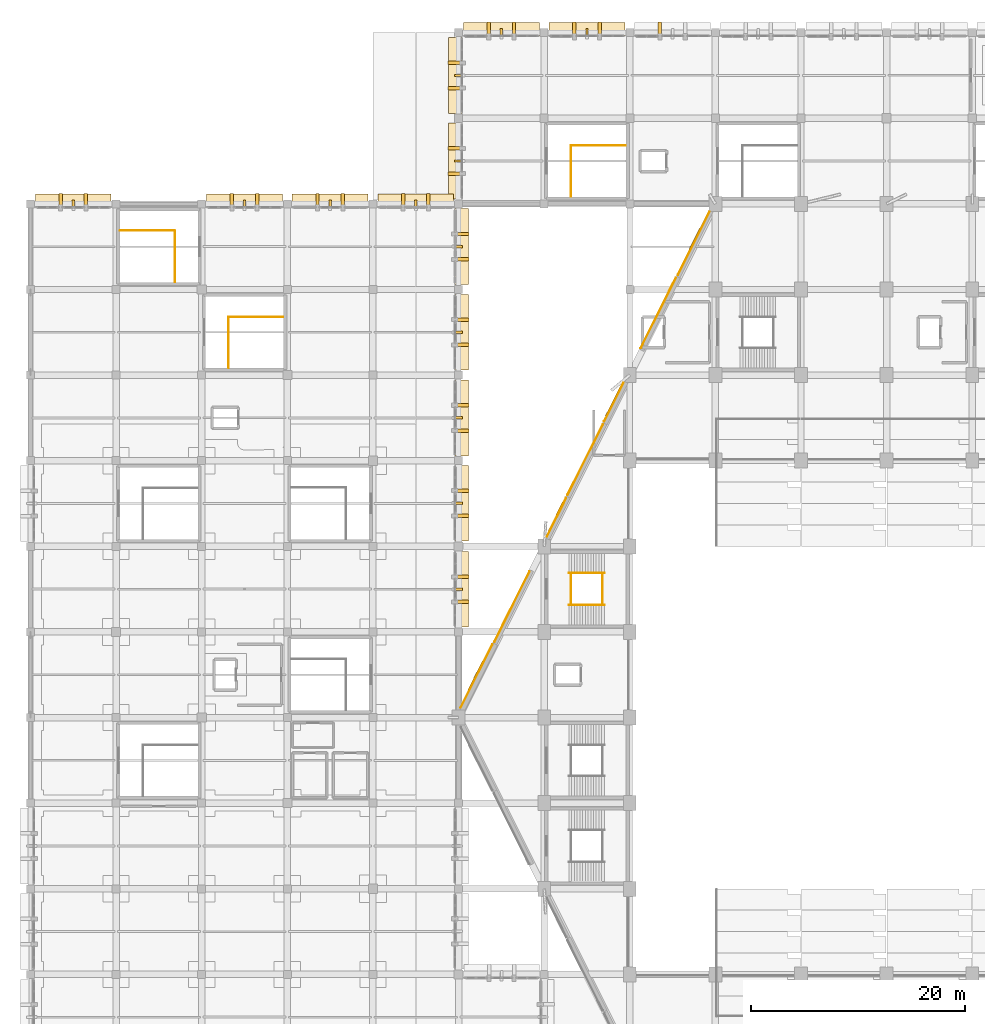
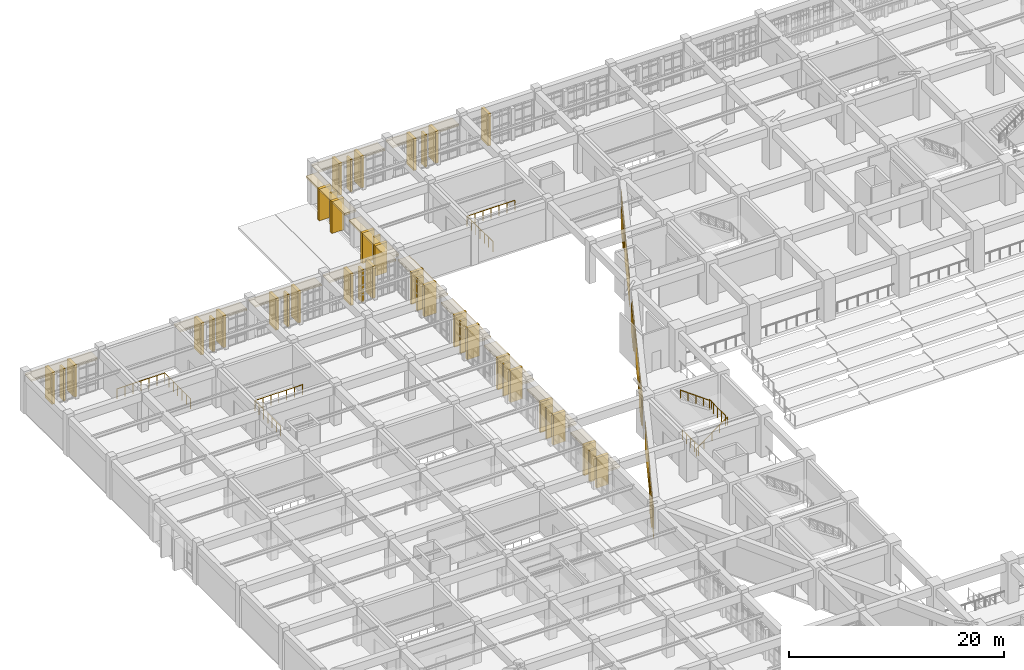
# One storey, part 151 of 155: 47 coverings, 17 shading devices, 10 railings.
"""IFC4 building model written with IfcOpenShell, lengths in metres."""

from ifc_helpers import new_model, si_unit, direction, frame, origin, origin_2d, place, context, subcontext, project, spatial, polyline, rectangle, circle, outline, extrude, material, layer, layer_set, type_object, element, save


model = new_model("IFC4")

# Units and contexts
model_context = context("Model", 3, precision=1e-05, world=origin(), true_north=direction((0.0, 1.0)))
body_context = subcontext(model_context, "Body", "Model", "MODEL_VIEW")
ifc_project = project(units=[si_unit("LENGTHUNIT", "METRE"), si_unit("AREAUNIT", "SQUARE_METRE"), si_unit("VOLUMEUNIT", "CUBIC_METRE"), si_unit("PLANEANGLEUNIT", "RADIAN"), si_unit("MASSUNIT", "GRAM", prefix="KILO")], contexts=[model_context])

# Site, building, storey
site_placement = place(None, origin())
site = spatial("IfcSite", under=ifc_project, at=site_placement, CompositionType="ELEMENT")
building_placement = place(site_placement, origin())
building = spatial("IfcBuilding", under=site, at=building_placement, Name="Tazarka Park Arena", CompositionType="ELEMENT")
storey_placement = place(building_placement, frame((0.0, 0.0, 5.39990234375)))
storey = spatial("IfcBuildingStorey", under=building, at=storey_placement, Name="L01", CompositionType="ELEMENT", Elevation=5.39990234375)

# Coverings
ifc_material_1 = material(Name="Dark ribbed perforated bronze-charcoal aluminium mesh", Category="aluminium")
ifc_layer_1 = layer(ifc_material_1, 0.06005859375, Name="Dark ribbed perforated bronze-charcoal aluminium mesh")
ifc_layer_set_1 = layer_set([ifc_layer_1], Name="Dark ribbed perforated bronze-charcoal aluminium mesh")
covering_type_1 = type_object("IfcCoveringType", Name="CLD-01", PredefinedType="CLADDING", material=ifc_layer_set_1)
for number, where, z_axis, x_axis, name in (
    (1, (58.818359375, 128.330078125, 0.0), (0.0, 0.0, 1.0), (1.0, 0.0, 0.0), "Brutalist Precast Brise-Soleil Blade L01-046-1"),
    (2, (50.818359375, 128.330078125, 0.0), (0.0, 0.0, 1.0), (1.0, 0.0, 0.0), "Brutalist Precast Brise-Soleil Blade L01-049-1"),
    (3, (53.181640625, 128.330078125, 0.0), (0.0, 0.0, 1.0), (1.0, 0.0, 0.0), "Brutalist Precast Brise-Soleil Blade L01-049-2"),
    (4, (42.818359375, 128.330078125, 0.0), (0.0, 0.0, 1.0), (1.0, 0.0, 0.0), "Brutalist Precast Brise-Soleil Blade L01-052-1"),
    (5, (45.181640625, 128.330078125, 0.0), (0.0, 0.0, 1.0), (1.0, 0.0, 0.0), "Brutalist Precast Brise-Soleil Blade L01-052-2"),
    (6, (39.669921875, 122.818359375, 0.0), (0.0, 0.0, 1.0), (0.0, 1.0, 0.0), "Brutalist Precast Brise-Soleil Blade L01-055-1"),
    (7, (39.669921875, 125.181640625, 0.0), (0.0, 0.0, 1.0), (0.0, 1.0, 0.0), "Brutalist Precast Brise-Soleil Blade L01-055-2"),
):
    element("IfcCovering", number, at=place(storey_placement, frame(where, z_axis=z_axis, x_axis=x_axis)), inside=storey, type_object=covering_type_1, Name=name, PredefinedType="CLADDING", context=body_context, shape_type="SweptSolid", body=[
        extrude(rectangle(XDim=0.320068359375, YDim=1.300048828125, at=origin_2d()), origin(), (0.0, 0.0, 1.0), 3.60009765625),
    ])
for number, where, z_axis, x_axis, name in (
    (8, (39.669921875, 114.818359375, 0.0), (0.0, 0.0, 1.0), (0.0, 1.0, 0.0), "Brutalist Precast Brise-Soleil Blade L01-058-1"),
    (9, (39.669921875, 117.181640625, 0.0), (0.0, 0.0, 1.0), (0.0, 1.0, 0.0), "Brutalist Precast Brise-Soleil Blade L01-058-2"),
):
    element("IfcCovering", number, at=place(storey_placement, frame(where, z_axis=z_axis, x_axis=x_axis)), inside=storey, type_object=covering_type_1, Name=name, PredefinedType="CLADDING", context=body_context, shape_type="SweptSolid", body=[
        extrude(rectangle(XDim=0.320068359375, YDim=1.300048828125, at=origin_2d()), origin(), (0.0, 0.0, 1.0), 3.449951171875),
    ])
covering_1_placement = place(storey_placement, frame((41.674072265625, 67.87353515625, 0.0), z_axis=(0.0, 0.0, 1.0), x_axis=(0.447290848419, 0.89438856037, 0.0)))
element("IfcCovering", 10, at=covering_1_placement, inside=storey, type_object=covering_type_1, Name="Ribbed Metal Mesh Cladding EW-L01-0175", PredefinedType="CLADDING", context=body_context, shape_type="SweptSolid", body=[
    extrude(rectangle(XDim=6.606201171875, YDim=0.06005859375, at=origin_2d()), origin(), (0.0, 0.0, 1.0), 3.449951171875),
])
covering_2_placement = place(storey_placement, frame((44.99072265625, 74.36181640625, 0.0), z_axis=(0.0, 0.0, 1.0), x_axis=(0.447290848419, 0.89438856037, 0.0)))
element("IfcCovering", 11, at=covering_2_placement, inside=storey, type_object=covering_type_1, Name="Ribbed Metal Mesh Cladding EW-L01-0176", PredefinedType="CLADDING", context=body_context, shape_type="SweptSolid", body=[
    extrude(rectangle(XDim=7.366455078125, YDim=0.06005859375, at=origin_2d()), origin(), (0.0, 0.0, 1.0), 3.449951171875),
])
covering_3_placement = place(storey_placement, frame((49.15185546875, 82.706298828125, 0.0), z_axis=(0.0, 0.0, 1.0), x_axis=(0.447290848419, 0.89438856037, 0.0)))
element("IfcCovering", 12, at=covering_3_placement, inside=storey, type_object=covering_type_1, Name="Ribbed Metal Mesh Cladding EW-L01-0177", PredefinedType="CLADDING", context=body_context, shape_type="SweptSolid", body=[
    extrude(rectangle(XDim=4.05078125, YDim=0.06005859375, at=origin_2d()), origin(), (0.0, 0.0, 1.0), 3.449951171875),
])
covering_4_placement = place(storey_placement, frame((51.830078125, 88.0849609375, 0.0), z_axis=(0.0, 0.0, 1.0), x_axis=(0.447290848419, 0.89438856037, 0.0)))
element("IfcCovering", 13, at=covering_4_placement, inside=storey, type_object=covering_type_1, Name="Ribbed Metal Mesh Cladding EW-L01-0178", PredefinedType="CLADDING", context=body_context, shape_type="SweptSolid", body=[
    extrude(rectangle(XDim=7.36669921875, YDim=0.06005859375, at=origin_2d()), origin(), (0.0, 0.0, 1.0), 3.449951171875),
])
covering_5_placement = place(storey_placement, frame((54.50830078125, 93.463623046875, 0.0), z_axis=(0.0, 0.0, 1.0), x_axis=(0.447290848419, 0.89438856037, 0.0)))
element("IfcCovering", 14, at=covering_5_placement, inside=storey, type_object=covering_type_1, Name="Ribbed Metal Mesh Cladding EW-L01-0179", PredefinedType="CLADDING", context=body_context, shape_type="SweptSolid", body=[
    extrude(rectangle(XDim=4.05078125, YDim=0.06005859375, at=origin_2d()), origin(), (0.0, 0.0, 1.0), 3.449951171875),
])
covering_6_placement = place(storey_placement, frame((58.669189453125, 101.80810546875, 0.0), z_axis=(0.0, 0.0, 1.0), x_axis=(0.447290848419, 0.89438856037, 0.0)))
element("IfcCovering", 15, at=covering_6_placement, inside=storey, type_object=covering_type_1, Name="Ribbed Metal Mesh Cladding EW-L01-0180", PredefinedType="CLADDING", context=body_context, shape_type="SweptSolid", body=[
    extrude(rectangle(XDim=7.366455078125, YDim=0.06005859375, at=origin_2d()), origin(), (0.0, 0.0, 1.0), 3.449951171875),
])
covering_7_placement = place(storey_placement, frame((61.97265625, 108.302978515625, 0.0), z_axis=(0.0, 0.0, 1.0), x_axis=(0.447290848419, 0.89438856037, 0.0)))
element("IfcCovering", 16, at=covering_7_placement, inside=storey, type_object=covering_type_1, Name="Ribbed Metal Mesh Cladding EW-L01-0181", PredefinedType="CLADDING", context=body_context, shape_type="SweptSolid", body=[
    extrude(rectangle(XDim=6.606201171875, YDim=0.06005859375, at=origin_2d()), origin(), (0.0, 0.0, 1.0), 3.449951171875),
])
for number, where, z_axis, x_axis, name in (
    (17, (40.330078125, 77.148193359375, 0.0), (0.0, 0.0, 1.0), (0.0, -1.0, 0.0), "Brutalist Precast Brise-Soleil Blade L01-109-1"),
    (18, (40.330078125, 74.8017578125, 0.0), (0.0, 0.0, 1.0), (0.0, -1.0, 0.0), "Brutalist Precast Brise-Soleil Blade L01-109-2"),
    (19, (40.330078125, 85.1982421875, 0.0), (0.0, 0.0, 1.0), (0.0, -1.0, 0.0), "Brutalist Precast Brise-Soleil Blade L01-112-1"),
    (20, (40.330078125, 82.851806640625, 0.0), (0.0, 0.0, 1.0), (0.0, -1.0, 0.0), "Brutalist Precast Brise-Soleil Blade L01-112-2"),
):
    element("IfcCovering", number, at=place(storey_placement, frame(where, z_axis=z_axis, x_axis=x_axis)), inside=storey, type_object=covering_type_1, Name=name, PredefinedType="CLADDING", context=body_context, shape_type="SweptSolid", body=[
        extrude(rectangle(XDim=0.320068359375, YDim=1.300048828125, at=origin_2d()), origin(), (0.0, 0.0, 1.0), 3.449951171875),
    ])
for number, where, z_axis, x_axis, name in (
    (21, (40.330078125, 93.181640625, 0.0), (0.0, 0.0, 1.0), (0.0, -1.0, 0.0), "Brutalist Precast Brise-Soleil Blade L01-115-1"),
    (22, (40.330078125, 90.818359375, 0.0), (0.0, 0.0, 1.0), (0.0, -1.0, 0.0), "Brutalist Precast Brise-Soleil Blade L01-115-2"),
    (23, (40.330078125, 101.181640625, 0.0), (0.0, 0.0, 1.0), (0.0, -1.0, 0.0), "Brutalist Precast Brise-Soleil Blade L01-118-1"),
    (24, (40.330078125, 98.818359375, 0.0), (0.0, 0.0, 1.0), (0.0, -1.0, 0.0), "Brutalist Precast Brise-Soleil Blade L01-118-2"),
    (25, (40.330078125, 109.181640625, 0.0), (0.0, 0.0, 1.0), (0.0, -1.0, 0.0), "Brutalist Precast Brise-Soleil Blade L01-121-1"),
    (26, (40.330078125, 106.818359375, 0.0), (0.0, 0.0, 1.0), (0.0, -1.0, 0.0), "Brutalist Precast Brise-Soleil Blade L01-121-2"),
    (27, (34.818359375, 112.330078125, 0.0), (0.0, 0.0, 1.0), (1.0, 0.0, 0.0), "Brutalist Precast Brise-Soleil Blade L01-124-1"),
    (28, (37.181640625, 112.330078125, 0.0), (0.0, 0.0, 1.0), (1.0, 0.0, 0.0), "Brutalist Precast Brise-Soleil Blade L01-124-2"),
    (29, (26.818359375, 112.330078125, 0.0), (0.0, 0.0, 1.0), (1.0, 0.0, 0.0), "Brutalist Precast Brise-Soleil Blade L01-127-1"),
    (30, (29.181640625, 112.330078125, 0.0), (0.0, 0.0, 1.0), (1.0, 0.0, 0.0), "Brutalist Precast Brise-Soleil Blade L01-127-2"),
    (31, (18.818359375, 112.330078125, 0.0), (0.0, 0.0, 1.0), (1.0, 0.0, 0.0), "Brutalist Precast Brise-Soleil Blade L01-130-1"),
    (32, (21.181640625, 112.330078125, 0.0), (0.0, 0.0, 1.0), (1.0, 0.0, 0.0), "Brutalist Precast Brise-Soleil Blade L01-130-2"),
    (33, (2.818359375, 112.330078125, 0.0), (0.0, 0.0, 1.0), (1.0, 0.0, 0.0), "Brutalist Precast Brise-Soleil Blade L01-133-1"),
    (34, (5.181640625, 112.330078125, 0.0), (0.0, 0.0, 1.0), (1.0, 0.0, 0.0), "Brutalist Precast Brise-Soleil Blade L01-133-2"),
):
    element("IfcCovering", number, at=place(storey_placement, frame(where, z_axis=z_axis, x_axis=x_axis)), inside=storey, type_object=covering_type_1, Name=name, PredefinedType="CLADDING", context=body_context, shape_type="SweptSolid", body=[
        extrude(rectangle(XDim=0.320068359375, YDim=1.300048828125, at=origin_2d()), origin(), (0.0, 0.0, 1.0), 3.60009765625),
    ])

# Railings
ifc_material_2 = material(Name="Brushed architectural stainless steel", Category="steel")
railing_type_1 = type_object("IfcRailingType", Name="HR-01", PredefinedType="HANDRAIL", material=ifc_material_2)
railing_1_placement = place(storey_placement, frame((50.31494140625, 74.510009765625, 0.0)))
element("IfcRailing", 35, at=railing_1_placement, inside=storey, type_object=railing_type_1, Name="Stair Handrail ST20-L01-F1", PredefinedType="HANDRAIL", context=body_context, shape_type="SweptSolid", body=[
    extrude(circle(Radius=0.02392578125, at=origin_2d()), frame((0.0, 0.0, 0.89599609375), z_axis=(0.809980229442, 0.0, 0.586457183359), x_axis=(0.0, 1.0, 0.0)), (0.0, 0.0, 1.0), 4.092529296875),
    extrude(circle(Radius=0.02099609375, at=origin_2d()), origin(), (0.0, 0.0, 1.0), 0.871826171875),
    extrude(circle(Radius=0.02099609375, at=origin_2d()), frame((0.82861328125, 0.0, 0.60009765625)), (0.0, 0.0, 1.0), 0.871826171875),
    extrude(circle(Radius=0.02099609375, at=origin_2d()), frame((1.657470703125, 0.0, 1.2001953125)), (0.0, 0.0, 1.0), 0.871826171875),
    extrude(circle(Radius=0.02099609375, at=origin_2d()), frame((2.486328125, 0.0, 1.800048828125)), (0.0, 0.0, 1.0), 0.871826171875),
    extrude(circle(Radius=0.02099609375, at=origin_2d()), frame((3.31494140625, 0.0, 2.400146484375)), (0.0, 0.0, 1.0), 0.871826171875),
])
railing_2_placement = place(storey_placement, frame((53.6298828125, 77.489990234375, 2.400146484375)))
element("IfcRailing", 36, at=railing_2_placement, inside=storey, type_object=railing_type_1, Name="Stair Handrail ST20-L01-F2", PredefinedType="HANDRAIL", context=body_context, shape_type="SweptSolid", body=[
    extrude(circle(Radius=0.02392578125, at=origin_2d()), frame((0.0, 0.0, 0.89599609375), z_axis=(-0.810008566192, 0.0, 0.586418044312), x_axis=(0.0, -1.0, 0.0)), (0.0, 0.0, 1.0), 4.092529296875),
    extrude(circle(Radius=0.02099609375, at=origin_2d()), origin(), (0.0, 0.0, 1.0), 0.871826171875),
    extrude(circle(Radius=0.02099609375, at=origin_2d()), frame((-0.82861328125, 0.0, 0.60009765625)), (0.0, 0.0, 1.0), 0.871826171875),
    extrude(circle(Radius=0.02099609375, at=origin_2d()), frame((-1.657470703125, 0.0, 1.199951171875)), (0.0, 0.0, 1.0), 0.871826171875),
    extrude(circle(Radius=0.02099609375, at=origin_2d()), frame((-2.486328125, 0.0, 1.7998046875)), (0.0, 0.0, 1.0), 0.871826171875),
    extrude(circle(Radius=0.02099609375, at=origin_2d()), frame((-3.31494140625, 0.0, 2.39990234375)), (0.0, 0.0, 1.0), 0.871826171875),
])
ifc_material_3 = material(Name="Galvanised powder-coated architectural steel", Category="steel")
railing_type_2 = type_object("IfcRailingType", Name="IGR-01", PredefinedType="GUARDRAIL", material=ifc_material_3)
railing_3_placement = place(storey_placement, frame((18.514892578125, 96.679931640625, 0.0)))
element("IfcRailing", 37, at=railing_3_placement, inside=storey, type_object=railing_type_2, Name="Stair Well Guardrail ST03-L01", PredefinedType="GUARDRAIL", context=body_context, shape_type="SweptSolid", body=[
    extrude(circle(Radius=0.02392578125, at=origin_2d()), frame((0.0, 0.0, 1.1259765625), z_axis=(0.0, 1.0, 0.0), x_axis=(-1.0, 0.0, 0.0)), (0.0, 0.0, 1.0), 4.77001953125),
    extrude(circle(Radius=0.02099609375, at=origin_2d()), origin(), (0.0, 0.0, 1.0), 1.101806640625),
    extrude(circle(Radius=0.02099609375, at=origin_2d()), frame((0.0, 0.794921875, 0.0)), (0.0, 0.0, 1.0), 1.101806640625),
    extrude(circle(Radius=0.02099609375, at=origin_2d()), frame((0.0, 1.590087890625, 0.0)), (0.0, 0.0, 1.0), 1.101806640625),
    extrude(circle(Radius=0.02099609375, at=origin_2d()), frame((0.0, 2.385009765625, 0.0)), (0.0, 0.0, 1.0), 1.101806640625),
    extrude(circle(Radius=0.02099609375, at=origin_2d()), frame((0.0, 3.179931640625, 0.0)), (0.0, 0.0, 1.0), 1.101806640625),
    extrude(circle(Radius=0.02099609375, at=origin_2d()), frame((0.0, 3.97509765625, 0.0)), (0.0, 0.0, 1.0), 1.101806640625),
    extrude(circle(Radius=0.02099609375, at=origin_2d()), frame((0.0, 4.77001953125, 0.0)), (0.0, 0.0, 1.0), 1.101806640625),
])
railing_4_placement = place(storey_placement, frame((18.514892578125, 101.449951171875, 0.0)))
element("IfcRailing", 38, at=railing_4_placement, inside=storey, type_object=railing_type_2, Name="Top Well Guardrail ST03-L01", PredefinedType="GUARDRAIL", context=body_context, shape_type="SweptSolid", body=[
    extrude(circle(Radius=0.02392578125, at=origin_2d()), frame((0.0, 0.0, 1.1259765625), z_axis=(1.0, 0.0, 0.0), x_axis=(0.0, 1.0, 0.0)), (0.0, 0.0, 1.0), 5.105224609375),
    extrude(circle(Radius=0.02099609375, at=origin_2d()), origin(), (0.0, 0.0, 1.0), 1.101806640625),
    extrude(circle(Radius=0.02099609375, at=origin_2d()), frame((0.850830078125, 0.0, 0.0)), (0.0, 0.0, 1.0), 1.101806640625),
    extrude(circle(Radius=0.02099609375, at=origin_2d()), frame((1.70166015625, 0.0, 0.0)), (0.0, 0.0, 1.0), 1.101806640625),
    extrude(circle(Radius=0.02099609375, at=origin_2d()), frame((2.552734375, 0.0, 0.0)), (0.0, 0.0, 1.0), 1.101806640625),
    extrude(circle(Radius=0.02099609375, at=origin_2d()), frame((3.403564453125, 0.0, 0.0)), (0.0, 0.0, 1.0), 1.101806640625),
    extrude(circle(Radius=0.02099609375, at=origin_2d()), frame((4.25439453125, 0.0, 0.0)), (0.0, 0.0, 1.0), 1.101806640625),
    extrude(circle(Radius=0.02099609375, at=origin_2d()), frame((5.105224609375, 0.0, 0.0)), (0.0, 0.0, 1.0), 1.101806640625),
])
railing_5_placement = place(storey_placement, frame((50.514892578125, 112.679931640625, 0.0)))
element("IfcRailing", 39, at=railing_5_placement, inside=storey, type_object=railing_type_2, Name="Stair Well Guardrail ST05-L01", PredefinedType="GUARDRAIL", context=body_context, shape_type="SweptSolid", body=[
    extrude(circle(Radius=0.02392578125, at=origin_2d()), frame((0.0, 0.0, 1.1259765625), z_axis=(0.0, 1.0, 0.0), x_axis=(-1.0, 0.0, 0.0)), (0.0, 0.0, 1.0), 4.77001953125),
    extrude(circle(Radius=0.02099609375, at=origin_2d()), origin(), (0.0, 0.0, 1.0), 1.101806640625),
    extrude(circle(Radius=0.02099609375, at=origin_2d()), frame((0.0, 0.794921875, 0.0)), (0.0, 0.0, 1.0), 1.101806640625),
    extrude(circle(Radius=0.02099609375, at=origin_2d()), frame((0.0, 1.590087890625, 0.0)), (0.0, 0.0, 1.0), 1.101806640625),
    extrude(circle(Radius=0.02099609375, at=origin_2d()), frame((0.0, 2.385009765625, 0.0)), (0.0, 0.0, 1.0), 1.101806640625),
    extrude(circle(Radius=0.02099609375, at=origin_2d()), frame((0.0, 3.179931640625, 0.0)), (0.0, 0.0, 1.0), 1.101806640625),
    extrude(circle(Radius=0.02099609375, at=origin_2d()), frame((0.0, 3.97509765625, 0.0)), (0.0, 0.0, 1.0), 1.101806640625),
    extrude(circle(Radius=0.02099609375, at=origin_2d()), frame((0.0, 4.77001953125, 0.0)), (0.0, 0.0, 1.0), 1.101806640625),
])
railing_6_placement = place(storey_placement, frame((50.514892578125, 117.449951171875, 0.0)))
element("IfcRailing", 40, at=railing_6_placement, inside=storey, type_object=railing_type_2, Name="Top Well Guardrail ST05-L01", PredefinedType="GUARDRAIL", context=body_context, shape_type="SweptSolid", body=[
    extrude(circle(Radius=0.02392578125, at=origin_2d()), frame((0.0, 0.0, 1.1259765625), z_axis=(1.0, 0.0, 0.0), x_axis=(0.0, 1.0, 0.0)), (0.0, 0.0, 1.0), 5.105224609375),
    extrude(circle(Radius=0.02099609375, at=origin_2d()), origin(), (0.0, 0.0, 1.0), 1.101806640625),
    extrude(circle(Radius=0.02099609375, at=origin_2d()), frame((0.850830078125, 0.0, 0.0)), (0.0, 0.0, 1.0), 1.101806640625),
    extrude(circle(Radius=0.02099609375, at=origin_2d()), frame((1.70166015625, 0.0, 0.0)), (0.0, 0.0, 1.0), 1.101806640625),
    extrude(circle(Radius=0.02099609375, at=origin_2d()), frame((2.552734375, 0.0, 0.0)), (0.0, 0.0, 1.0), 1.101806640625),
    extrude(circle(Radius=0.02099609375, at=origin_2d()), frame((3.403564453125, 0.0, 0.0)), (0.0, 0.0, 1.0), 1.101806640625),
    extrude(circle(Radius=0.02099609375, at=origin_2d()), frame((4.25439453125, 0.0, 0.0)), (0.0, 0.0, 1.0), 1.101806640625),
    extrude(circle(Radius=0.02099609375, at=origin_2d()), frame((5.105224609375, 0.0, 0.0)), (0.0, 0.0, 1.0), 1.101806640625),
])
for number, where, name in (
    (41, (50.514892578125, 74.510009765625, 0.0), "Stair Well Guardrail ST20-L01"),
    (42, (53.429931640625, 74.510009765625, 2.400146484375), "Landing Guardrail ST20-L01-M"),
):
    element("IfcRailing", number, at=place(storey_placement, frame(where)), inside=storey, type_object=railing_type_2, Name=name, PredefinedType="GUARDRAIL", context=body_context, shape_type="SweptSolid", body=[
        extrude(circle(Radius=0.02392578125, at=origin_2d()), frame((0.0, 0.0, 1.1259765625), z_axis=(0.0, 1.0, 0.0), x_axis=(-1.0, 0.0, 0.0)), (0.0, 0.0, 1.0), 2.97998046875),
        extrude(circle(Radius=0.02099609375, at=origin_2d()), origin(), (0.0, 0.0, 1.0), 1.101806640625),
        extrude(circle(Radius=0.02099609375, at=origin_2d()), frame((0.0, 0.7451171875, 0.0)), (0.0, 0.0, 1.0), 1.101806640625),
        extrude(circle(Radius=0.02099609375, at=origin_2d()), frame((0.0, 1.489990234375, 0.0)), (0.0, 0.0, 1.0), 1.101806640625),
        extrude(circle(Radius=0.02099609375, at=origin_2d()), frame((0.0, 2.23486328125, 0.0)), (0.0, 0.0, 1.0), 1.101806640625),
        extrude(circle(Radius=0.02099609375, at=origin_2d()), frame((0.0, 2.97998046875, 0.0)), (0.0, 0.0, 1.0), 1.101806640625),
    ])
railing_7_placement = place(storey_placement, frame((13.485107421875, 104.679931640625, 0.0)))
element("IfcRailing", 43, at=railing_7_placement, inside=storey, type_object=railing_type_2, Name="Stair Well Guardrail ST25-L01", PredefinedType="GUARDRAIL", context=body_context, shape_type="SweptSolid", body=[
    extrude(circle(Radius=0.02392578125, at=origin_2d()), frame((0.0, 0.0, 1.1259765625), z_axis=(0.0, 1.0, 0.0), x_axis=(-1.0, 0.0, 0.0)), (0.0, 0.0, 1.0), 4.81005859375),
    extrude(circle(Radius=0.02099609375, at=origin_2d()), origin(), (0.0, 0.0, 1.0), 1.101806640625),
    extrude(circle(Radius=0.02099609375, at=origin_2d()), frame((0.0, 0.8017578125, 0.0)), (0.0, 0.0, 1.0), 1.101806640625),
    extrude(circle(Radius=0.02099609375, at=origin_2d()), frame((0.0, 1.603271484375, 0.0)), (0.0, 0.0, 1.0), 1.101806640625),
    extrude(circle(Radius=0.02099609375, at=origin_2d()), frame((0.0, 2.405029296875, 0.0)), (0.0, 0.0, 1.0), 1.101806640625),
    extrude(circle(Radius=0.02099609375, at=origin_2d()), frame((0.0, 3.206787109375, 0.0)), (0.0, 0.0, 1.0), 1.101806640625),
    extrude(circle(Radius=0.02099609375, at=origin_2d()), frame((0.0, 4.00830078125, 0.0)), (0.0, 0.0, 1.0), 1.101806640625),
    extrude(circle(Radius=0.02099609375, at=origin_2d()), frame((0.0, 4.81005859375, 0.0)), (0.0, 0.0, 1.0), 1.101806640625),
])
railing_8_placement = place(storey_placement, frame((13.485107421875, 109.489990234375, 0.0)))
element("IfcRailing", 44, at=railing_8_placement, inside=storey, type_object=railing_type_2, Name="Top Well Guardrail ST25-L01", PredefinedType="GUARDRAIL", context=body_context, shape_type="SweptSolid", body=[
    extrude(circle(Radius=0.02392578125, at=origin_2d()), frame((0.0, 0.0, 1.1259765625), z_axis=(-1.0, 0.0, 0.0), x_axis=(0.0, -1.0, 0.0)), (0.0, 0.0, 1.0), 5.105224609375),
    extrude(circle(Radius=0.02099609375, at=origin_2d()), origin(), (0.0, 0.0, 1.0), 1.101806640625),
    extrude(circle(Radius=0.02099609375, at=origin_2d()), frame((-0.850830078125, 0.0, 0.0)), (0.0, 0.0, 1.0), 1.101806640625),
    extrude(circle(Radius=0.02099609375, at=origin_2d()), frame((-1.70166015625, 0.0, 0.0)), (0.0, 0.0, 1.0), 1.101806640625),
    extrude(circle(Radius=0.02099609375, at=origin_2d()), frame((-2.552734375, 0.0, 0.0)), (0.0, 0.0, 1.0), 1.101806640625),
    extrude(circle(Radius=0.02099609375, at=origin_2d()), frame((-3.403564453125, 0.0, 0.0)), (0.0, 0.0, 1.0), 1.101806640625),
    extrude(circle(Radius=0.02099609375, at=origin_2d()), frame((-4.25439453125, 0.0, 0.0)), (0.0, 0.0, 1.0), 1.101806640625),
    extrude(circle(Radius=0.02099609375, at=origin_2d()), frame((-5.105224609375, 0.0, 0.0)), (0.0, 0.0, 1.0), 1.101806640625),
])

# Coverings
ifc_material_4 = material(Name="Standing-seam acoustic aluminium roofing membrane", Category="aluminium")
ifc_layer_2 = layer(ifc_material_4, 0.050048828125, Name="Standing-seam acoustic aluminium roofing membrane")
ifc_layer_set_2 = layer_set([ifc_layer_2], Name="Standing-seam acoustic aluminium roofing membrane")
covering_type_2 = type_object("IfcCoveringType", Name="RFG-01", PredefinedType="ROOFING", material=ifc_layer_set_2)
covering_8_placement = place(storey_placement, frame((0.0, 0.0, 3.360107421875)))
element("IfcCovering", 45, at=covering_8_placement, inside=storey, type_object=covering_type_2, Name="Brutalist Sun-Hood Overhang L01-049", PredefinedType="ROOFING", context=body_context, shape_type="SweptSolid", body=[
    extrude(outline(polyline([(48.455078125, 127.679931640625), (55.544921875, 127.679931640625), (55.544921875, 128.929931640625), (48.455078125, 128.929931640625), (48.455078125, 127.679931640625)])), origin(), (0.0, 0.0, 1.0), 0.219970703125),
])
covering_9_placement = place(storey_placement, frame((0.0, 0.0, 3.360107421875)))
element("IfcCovering", 46, at=covering_9_placement, inside=storey, type_object=covering_type_2, Name="Brutalist Sun-Hood Overhang L01-052", PredefinedType="ROOFING", context=body_context, shape_type="SweptSolid", body=[
    extrude(outline(polyline([(40.455078125, 127.679931640625), (47.544921875, 127.679931640625), (47.544921875, 128.929931640625), (40.455078125, 128.929931640625), (40.455078125, 127.679931640625)])), origin(), (0.0, 0.0, 1.0), 0.219970703125),
])
covering_10_placement = place(storey_placement, frame((0.0, 0.0, 3.360107421875)))
element("IfcCovering", 47, at=covering_10_placement, inside=storey, type_object=covering_type_2, Name="Brutalist Sun-Hood Overhang L01-055", PredefinedType="ROOFING", context=body_context, shape_type="SweptSolid", body=[
    extrude(outline(polyline([(40.320068359375, 120.455078125), (40.320068359375, 127.544921875), (39.070068359375, 127.544921875), (39.070068359375, 120.455078125), (40.320068359375, 120.455078125)])), origin(), (0.0, 0.0, 1.0), 0.219970703125),
])
covering_11_placement = place(storey_placement, frame((0.0, 0.0, 3.210205078125)))
element("IfcCovering", 48, at=covering_11_placement, inside=storey, type_object=covering_type_2, Name="Brutalist Sun-Hood Overhang L01-058", PredefinedType="ROOFING", context=body_context, shape_type="SweptSolid", body=[
    extrude(outline(polyline([(40.320068359375, 112.455078125), (40.320068359375, 119.544921875), (39.070068359375, 119.544921875), (39.070068359375, 112.455078125), (40.320068359375, 112.455078125)])), origin(), (0.0, 0.0, 1.0), 0.219970703125),
])
covering_12_placement = place(storey_placement, frame((0.0, 0.0, 3.210205078125)))
element("IfcCovering", 49, at=covering_12_placement, inside=storey, type_object=covering_type_2, Name="Brutalist Sun-Hood Overhang L01-109", PredefinedType="ROOFING", context=body_context, shape_type="SweptSolid", body=[
    extrude(outline(polyline([(39.679931640625, 79.4951171875), (39.679931640625, 72.455078125), (40.929931640625, 72.455078125), (40.929931640625, 79.4951171875), (39.679931640625, 79.4951171875)])), origin(), (0.0, 0.0, 1.0), 0.219970703125),
])
covering_13_placement = place(storey_placement, frame((0.0, 0.0, 3.210205078125)))
element("IfcCovering", 50, at=covering_13_placement, inside=storey, type_object=covering_type_2, Name="Brutalist Sun-Hood Overhang L01-112", PredefinedType="ROOFING", context=body_context, shape_type="SweptSolid", body=[
    extrude(outline(polyline([(39.679931640625, 87.544921875), (39.679931640625, 80.5048828125), (40.929931640625, 80.5048828125), (40.929931640625, 87.544921875), (39.679931640625, 87.544921875)])), origin(), (0.0, 0.0, 1.0), 0.219970703125),
])
covering_14_placement = place(storey_placement, frame((0.0, 0.0, 3.360107421875)))
element("IfcCovering", 51, at=covering_14_placement, inside=storey, type_object=covering_type_2, Name="Brutalist Sun-Hood Overhang L01-115", PredefinedType="ROOFING", context=body_context, shape_type="SweptSolid", body=[
    extrude(outline(polyline([(39.679931640625, 95.544921875), (39.679931640625, 88.455078125), (40.929931640625, 88.455078125), (40.929931640625, 95.544921875), (39.679931640625, 95.544921875)])), origin(), (0.0, 0.0, 1.0), 0.219970703125),
])
covering_15_placement = place(storey_placement, frame((0.0, 0.0, 3.360107421875)))
element("IfcCovering", 52, at=covering_15_placement, inside=storey, type_object=covering_type_2, Name="Brutalist Sun-Hood Overhang L01-118", PredefinedType="ROOFING", context=body_context, shape_type="SweptSolid", body=[
    extrude(outline(polyline([(39.679931640625, 103.544921875), (39.679931640625, 96.455078125), (40.929931640625, 96.455078125), (40.929931640625, 103.544921875), (39.679931640625, 103.544921875)])), origin(), (0.0, 0.0, 1.0), 0.219970703125),
])
covering_16_placement = place(storey_placement, frame((0.0, 0.0, 3.360107421875)))
element("IfcCovering", 53, at=covering_16_placement, inside=storey, type_object=covering_type_2, Name="Brutalist Sun-Hood Overhang L01-121", PredefinedType="ROOFING", context=body_context, shape_type="SweptSolid", body=[
    extrude(outline(polyline([(39.679931640625, 111.544921875), (39.679931640625, 104.455078125), (40.929931640625, 104.455078125), (40.929931640625, 111.544921875), (39.679931640625, 111.544921875)])), origin(), (0.0, 0.0, 1.0), 0.219970703125),
])
covering_17_placement = place(storey_placement, frame((0.0, 0.0, 3.360107421875)))
element("IfcCovering", 54, at=covering_17_placement, inside=storey, type_object=covering_type_2, Name="Brutalist Sun-Hood Overhang L01-124", PredefinedType="ROOFING", context=body_context, shape_type="SweptSolid", body=[
    extrude(outline(polyline([(32.455078125, 111.679931640625), (39.544921875, 111.679931640625), (39.544921875, 112.929931640625), (32.455078125, 112.929931640625), (32.455078125, 111.679931640625)])), origin(), (0.0, 0.0, 1.0), 0.219970703125),
])
covering_18_placement = place(storey_placement, frame((0.0, 0.0, 3.360107421875)))
element("IfcCovering", 55, at=covering_18_placement, inside=storey, type_object=covering_type_2, Name="Brutalist Sun-Hood Overhang L01-127", PredefinedType="ROOFING", context=body_context, shape_type="SweptSolid", body=[
    extrude(outline(polyline([(24.455078125, 111.679931640625), (31.544921875, 111.679931640625), (31.544921875, 112.929931640625), (24.455078125, 112.929931640625), (24.455078125, 111.679931640625)])), origin(), (0.0, 0.0, 1.0), 0.219970703125),
])
covering_19_placement = place(storey_placement, frame((0.0, 0.0, 3.360107421875)))
element("IfcCovering", 56, at=covering_19_placement, inside=storey, type_object=covering_type_2, Name="Brutalist Sun-Hood Overhang L01-130", PredefinedType="ROOFING", context=body_context, shape_type="SweptSolid", body=[
    extrude(outline(polyline([(16.455078125, 111.679931640625), (23.544921875, 111.679931640625), (23.544921875, 112.929931640625), (16.455078125, 112.929931640625), (16.455078125, 111.679931640625)])), origin(), (0.0, 0.0, 1.0), 0.219970703125),
])
covering_20_placement = place(storey_placement, frame((0.0, 0.0, 3.360107421875)))
element("IfcCovering", 57, at=covering_20_placement, inside=storey, type_object=covering_type_2, Name="Brutalist Sun-Hood Overhang L01-133", PredefinedType="ROOFING", context=body_context, shape_type="SweptSolid", body=[
    extrude(outline(polyline([(0.455078125, 111.679931640625), (7.544921875, 111.679931640625), (7.544921875, 112.929931640625), (0.455078125, 112.929931640625), (0.455078125, 111.679931640625)])), origin(), (0.0, 0.0, 1.0), 0.219970703125),
])

# Shading devices
ifc_material_5 = material(Name="Precast concrete C40/50", Category="concrete")
shading_device_type_1 = type_object("IfcShadingDeviceType", Name="SHD-01", PredefinedType="SHUTTER", material=ifc_material_5)
for number, where, z_axis, x_axis, name in (
    (58, (52.0, 128.02001953125, -0.0400390625), (0.0, 0.0, 1.0), (1.0, 0.0, 0.0), "Brise-Soleil Fin BS-017"),
    (59, (44.0, 128.02001953125, -0.0400390625), (0.0, 0.0, 1.0), (1.0, 0.0, 0.0), "Brise-Soleil Fin BS-018"),
    (60, (39.97998046875, 124.0, -0.0400390625), (0.0, 0.0, 1.0), (0.0, 1.0, 0.0), "Brise-Soleil Fin BS-019"),
):
    element("IfcShadingDevice", number, at=place(storey_placement, frame(where, z_axis=z_axis, x_axis=x_axis)), inside=storey, type_object=shading_device_type_1, Name=name, PredefinedType="SHUTTER", context=body_context, shape_type="SweptSolid", body=[
        extrude(rectangle(XDim=0.219970703125, YDim=0.719970703125, at=origin_2d()), origin(), (0.0, 0.0, 1.0), 3.679931640625),
    ])
for number, where, z_axis, x_axis, name in (
    (61, (39.97998046875, 116.0, -0.0400390625), (0.0, 0.0, 1.0), (0.0, 1.0, 0.0), "Brise-Soleil Fin BS-020"),
    (62, (40.02001953125, 75.97509765625, -0.0400390625), (0.0, 0.0, 1.0), (0.0, -1.0, 0.0), "Brise-Soleil Fin BS-037"),
    (63, (40.02001953125, 84.02490234375, -0.0400390625), (0.0, 0.0, 1.0), (0.0, -1.0, 0.0), "Brise-Soleil Fin BS-038"),
):
    element("IfcShadingDevice", number, at=place(storey_placement, frame(where, z_axis=z_axis, x_axis=x_axis)), inside=storey, type_object=shading_device_type_1, Name=name, PredefinedType="SHUTTER", context=body_context, shape_type="SweptSolid", body=[
        extrude(rectangle(XDim=0.219970703125, YDim=0.719970703125, at=origin_2d()), origin(), (0.0, 0.0, 1.0), 3.530029296875),
    ])
for number, where, z_axis, x_axis, name in (
    (64, (40.02001953125, 92.0, -0.0400390625), (0.0, 0.0, 1.0), (0.0, -1.0, 0.0), "Brise-Soleil Fin BS-039"),
    (65, (40.02001953125, 100.0, -0.0400390625), (0.0, 0.0, 1.0), (0.0, -1.0, 0.0), "Brise-Soleil Fin BS-040"),
    (66, (40.02001953125, 108.0, -0.0400390625), (0.0, 0.0, 1.0), (0.0, -1.0, 0.0), "Brise-Soleil Fin BS-041"),
    (67, (36.0, 112.02001953125, -0.0400390625), (0.0, 0.0, 1.0), (1.0, 0.0, 0.0), "Brise-Soleil Fin BS-042"),
    (68, (28.0, 112.02001953125, -0.0400390625), (0.0, 0.0, 1.0), (1.0, 0.0, 0.0), "Brise-Soleil Fin BS-043"),
    (69, (20.0, 112.02001953125, -0.0400390625), (0.0, 0.0, 1.0), (1.0, 0.0, 0.0), "Brise-Soleil Fin BS-044"),
    (70, (4.0, 112.02001953125, -0.0400390625), (0.0, 0.0, 1.0), (1.0, 0.0, 0.0), "Brise-Soleil Fin BS-045"),
):
    element("IfcShadingDevice", number, at=place(storey_placement, frame(where, z_axis=z_axis, x_axis=x_axis)), inside=storey, type_object=shading_device_type_1, Name=name, PredefinedType="SHUTTER", context=body_context, shape_type="SweptSolid", body=[
        extrude(rectangle(XDim=0.219970703125, YDim=0.719970703125, at=origin_2d()), origin(), (0.0, 0.0, 1.0), 3.679931640625),
    ])
ifc_material_6 = material(Name="Dark ribbed perforated bronze-charcoal aluminium mesh", Category="aluminium")
shading_device_type_2 = type_object("IfcShadingDeviceType", Name="SHD-02", PredefinedType="JALOUSIE", material=ifc_material_6)
for number, where, z_axis, x_axis, name in (
    (71, (41.620361328125, 67.900390625, 0.0), (0.0, 0.0, 1.0), (0.447290848419, 0.89438856037, 0.0), "Perforated Mesh Screen EW-L01-0175"),
    (72, (49.09814453125, 82.73291015625, 0.0), (0.0, 0.0, 1.0), (0.447290848419, 0.89438856037, 0.0), "Perforated Mesh Screen EW-L01-0177"),
    (73, (54.45458984375, 93.490478515625, 0.0), (0.0, 0.0, 1.0), (0.447290848419, 0.89438856037, 0.0), "Perforated Mesh Screen EW-L01-0179"),
    (74, (61.9189453125, 108.329833984375, 0.0), (0.0, 0.0, 1.0), (0.447290848419, 0.89438856037, 0.0), "Perforated Mesh Screen EW-L01-0181"),
):
    element("IfcShadingDevice", number, at=place(storey_placement, frame(where, z_axis=z_axis, x_axis=x_axis)), inside=storey, type_object=shading_device_type_2, Name=name, PredefinedType="JALOUSIE", context=body_context, shape_type="SweptSolid", body=[
        extrude(rectangle(XDim=3.0, YDim=0.139892578125, at=origin_2d()), origin(), (0.0, 0.0, 1.0), 3.449951171875),
    ])

save(model, "model.ifc")
